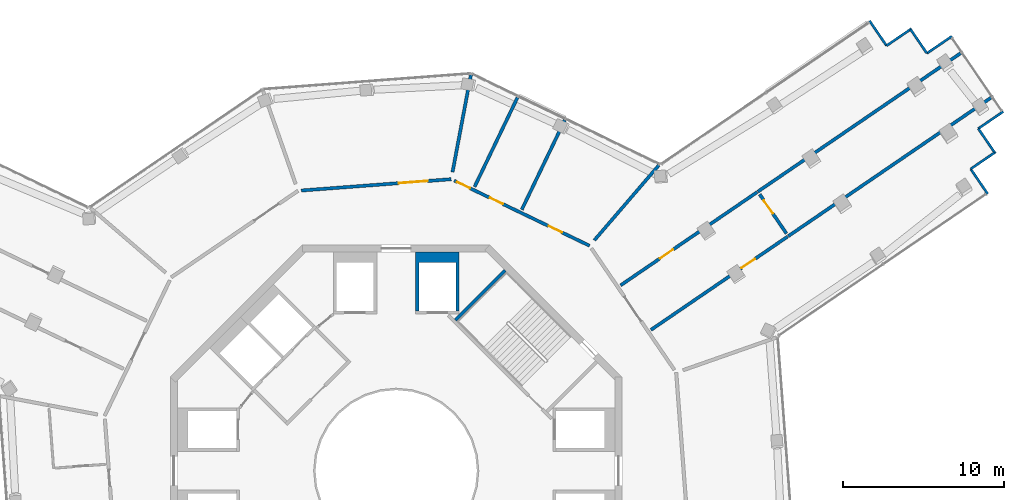
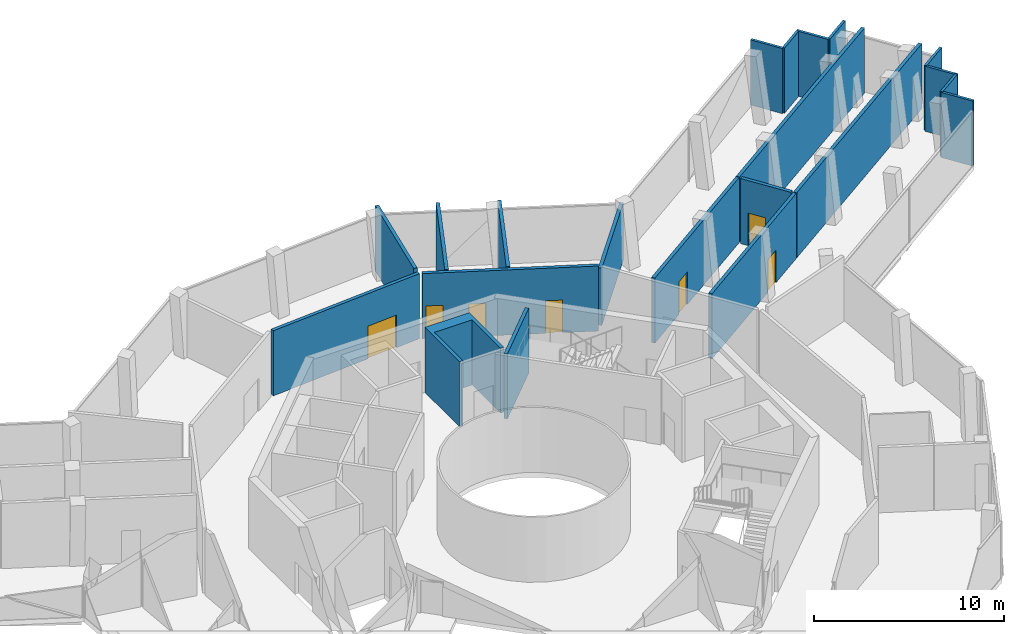
# One storey, part 16 of 19: 21 walls, 7 doors, 7 openings.
"""IFC4 building model written with IfcOpenShell, lengths in metres."""

import ifcopenshell
import ifcopenshell.guid

model = None  # the IFC model being written
_history = None  # IfcOwnerHistory: only IFC2X3 demands one
_inside = {}  # id of a spatial element -> (the spatial element, [elements in it])
_under = {}  # id of a project, library or spatial element -> (it, [spatial elements below it])
_declared = {}  # id of a project -> (the project, [libraries it declares])
_typed = {}  # id of a type object -> (the type object, [elements of that type])
_made_of = {}  # id of a material, layer set ... -> (it, [elements and type objects made of it])


def new_model(schema):
    """Start an empty IFC model of exactly this schema.

    Asked for "IFC4X3", IfcOpenShell would pick the latest addendum, in which some entities
    have other attributes; the version numbers below select the first issue.
    IFC2X3 requires an IfcOwnerHistory on every rooted entity: one is made here for all.
    """
    global model, _history
    if schema == "IFC4X3":
        model = ifcopenshell.file(schema_version=(4, 3, 0, 0))
    else:
        model = ifcopenshell.file(schema=schema)
    _inside.clear()
    _under.clear()
    _declared.clear()
    _typed.clear()
    _made_of.clear()
    _history = None
    if model.schema == "IFC2X3":
        org = make("IfcOrganization", Name="unknown")
        user = make(
            "IfcPersonAndOrganization",
            ThePerson=make("IfcPerson", FamilyName="unknown"),
            TheOrganization=org,
        )
        app = make(
            "IfcApplication",
            ApplicationDeveloper=org,
            Version="unknown",
            ApplicationFullName="unknown",
            ApplicationIdentifier="unknown",
        )
        _history = make(
            "IfcOwnerHistory",
            OwningUser=user,
            OwningApplication=app,
            ChangeAction="ADDED",
            CreationDate=0,
        )
    return model


def make(cls, **values):
    """One entity of the class cls with the attributes given. An attribute that is None is left unset."""
    return model.create_entity(
        cls, **{name: value for name, value in values.items() if value is not None}
    )


def rooted(cls, **values):
    """An entity with a GlobalId (a new one), such as an element, a storey or a relation."""
    return make(cls, GlobalId=ifcopenshell.guid.new(), OwnerHistory=_history, **values)


def si_unit(unit_type, name, prefix=None):
    """IfcSIUnit, for example si_unit("LENGTHUNIT", "METRE", prefix="MILLI")."""
    return make("IfcSIUnit", UnitType=unit_type, Prefix=prefix, Name=name)


def assignment(units):
    """IfcUnitAssignment: the units of a project."""
    return None if units is None else make("IfcUnitAssignment", Units=units)


def point(xyz):
    """IfcCartesianPoint."""
    return None if xyz is None else make("IfcCartesianPoint", Coordinates=xyz)


def direction(xyz):
    """IfcDirection."""
    return None if xyz is None else make("IfcDirection", DirectionRatios=xyz)


def frame(location, z_axis=None, x_axis=None):
    """IfcAxis2Placement3D, a coordinate frame: its origin and axes. An axis left out is left unset."""
    return make(
        "IfcAxis2Placement3D",
        Location=point(location),
        Axis=direction(z_axis),
        RefDirection=direction(x_axis),
    )


def frame_2d(location, x_axis=None):
    """IfcAxis2Placement2D, a coordinate frame in the plane: its origin and x axis."""
    return make(
        "IfcAxis2Placement2D", Location=point(location), RefDirection=direction(x_axis)
    )


def origin():
    """The frame at (0, 0, 0) with its axes left unset."""
    return frame((0.0, 0.0, 0.0))


def place(relative_to, where):
    """IfcLocalPlacement: puts the frame where relative to a parent placement (None: the world)."""
    return make(
        "IfcLocalPlacement", PlacementRelTo=relative_to, RelativePlacement=where
    )


def context(
    kind, dimensions, precision=None, world=None, true_north=None, identifier=None
):
    """IfcGeometricRepresentationContext, for example the 3D "Model" context."""
    return make(
        "IfcGeometricRepresentationContext",
        ContextIdentifier=identifier,
        ContextType=kind,
        CoordinateSpaceDimension=dimensions,
        Precision=precision,
        WorldCoordinateSystem=world,
        TrueNorth=true_north,
    )


def subcontext(parent, identifier, kind, view, scale=None):
    """IfcGeometricRepresentationSubContext, for example "Body" below "Model"."""
    return make(
        "IfcGeometricRepresentationSubContext",
        ContextIdentifier=identifier,
        ContextType=kind,
        ParentContext=parent,
        TargetScale=scale,
        TargetView=view,
    )


def project(units=None, contexts=None):
    """IfcProject with its units and contexts."""
    return rooted(
        "IfcProject",
        Name="project",
        RepresentationContexts=contexts,
        UnitsInContext=assignment(units),
    )


def spatial(cls, under=None, at=None, **own):
    """A site, building, storey or space (cls), placed at a placement, below another one or the project."""
    s = rooted(cls, ObjectPlacement=at, **own)
    if under is not None:
        _under.setdefault(under.id(), (under, []))[1].append(s)
    return s


def polyline(points):
    """IfcPolyline through the points."""
    return make("IfcPolyline", Points=[point(p) for p in points])


def profile(cls, at=None, kind="AREA", **sizes):
    """A parametric profile (cls). Its sizes go by their IFC names, for example OverallWidth=200.0."""
    return make(cls, ProfileType=kind, Position=at, **sizes)


def rectangle(**sizes):
    """IfcRectangleProfileDef."""
    return profile("IfcRectangleProfileDef", **sizes)


def outline(outer, holes=None, kind="AREA"):
    """IfcArbitraryClosedProfileDef: a profile drawn as a closed curve; with holes, ...WithVoids."""
    if holes is None:
        return make("IfcArbitraryClosedProfileDef", ProfileType=kind, OuterCurve=outer)
    return make(
        "IfcArbitraryProfileDefWithVoids",
        ProfileType=kind,
        OuterCurve=outer,
        InnerCurves=holes,
    )


def extrude(swept, where, along, depth):
    """IfcExtrudedAreaSolid: the profile swept, set in the frame where, extruded along a direction by depth."""
    return make(
        "IfcExtrudedAreaSolid",
        SweptArea=swept,
        Position=where,
        ExtrudedDirection=direction(along),
        Depth=depth,
    )


def shape(context_of_items, identifier, shape_type, items):
    """IfcShapeRepresentation: the items that make up one representation, for example the "Body"."""
    return make(
        "IfcShapeRepresentation",
        ContextOfItems=context_of_items,
        RepresentationIdentifier=identifier,
        RepresentationType=shape_type,
        Items=items,
    )


def material(Name=None, Category=None):
    """IfcMaterial."""
    return make("IfcMaterial", Name=Name, Category=Category)


def layer(
    of_material, thickness, ventilated=None, Name=None, Category=None, Priority=None
):
    """IfcMaterialLayer: one layer of a wall or slab, of a material (None: an air gap)."""
    return make(
        "IfcMaterialLayer",
        Material=of_material,
        LayerThickness=thickness,
        IsVentilated=ventilated,
        Name=Name,
        Category=Category,
        Priority=Priority,
    )


def layer_set(layers, Name=None):
    """IfcMaterialLayerSet."""
    return make("IfcMaterialLayerSet", MaterialLayers=layers, LayerSetName=Name)


def made_of(thing, what):
    """Note that an element or type object is made of a material, layer set ...; save() writes the relation."""
    if what is not None:
        _made_of.setdefault(what.id(), (what, []))[1].append(thing)
    return thing


def type_object(cls, material=None, **own):
    """A type object (cls), such as IfcWallType, which elements share."""
    return made_of(rooted(cls, **own), material)


def element(
    cls,
    number,
    at=None,
    inside=None,
    cuts=None,
    type_object=None,
    material=None,
    context=None,
    identifier="Body",
    shape_type=None,
    held_by="IfcProductDefinitionShape",
    body=None,
    shapes=None,
    **own,
):
    """One element of the class cls, such as IfcWall. Its Tag is "e" and its number.

    at: its placement. inside: the storey or other place that contains it. cuts: it is an
    opening in that element (IfcRelVoidsElement). A single representation is given by context,
    identifier, shape_type and body (its items); several are given by shapes. held_by: the class
    of the entity that holds the representations. save() writes the other relations.
    """
    e = rooted(cls, Tag="e%d" % number, ObjectPlacement=at, **own)
    if body is not None:
        shapes = [shape(context, identifier, shape_type, body)]
    if shapes is not None:
        e.Representation = make(held_by, Representations=shapes)
    if inside is not None:
        _inside.setdefault(inside.id(), (inside, []))[1].append(e)
    if cuts is not None:
        rooted(
            "IfcRelVoidsElement", RelatingBuildingElement=cuts, RelatedOpeningElement=e
        )
    if type_object is not None:
        _typed.setdefault(type_object.id(), (type_object, []))[1].append(e)
    return made_of(e, material)


def fill(opening, filler):
    """IfcRelFillsElement: the door or window that sits in an opening."""
    return rooted(
        "IfcRelFillsElement",
        RelatingOpeningElement=opening,
        RelatedBuildingElement=filler,
    )


def aggregate(whole, parts):
    """IfcRelAggregates: a whole, such as a stair, and the parts it consists of."""
    return rooted("IfcRelAggregates", RelatingObject=whole, RelatedObjects=parts)


def save(model, path):
    """Write the relations noted so far, then the file.

    IfcRelAggregates (storeys below a building ...), IfcRelContainedInSpatialStructure (elements
    in a storey), IfcRelDefinesByType, IfcRelAssociatesMaterial and IfcRelDeclares: one each for
    every whole, place, type object, material and project.
    """
    for whole, parts in _under.values():
        aggregate(whole, parts)
    for where, things in _inside.values():
        rooted(
            "IfcRelContainedInSpatialStructure",
            RelatedElements=things,
            RelatingStructure=where,
        )
    for kind, things in _typed.values():
        rooted("IfcRelDefinesByType", RelatedObjects=things, RelatingType=kind)
    for what, things in _made_of.values():
        rooted("IfcRelAssociatesMaterial", RelatedObjects=things, RelatingMaterial=what)
    for by, libraries in _declared.values():
        rooted("IfcRelDeclares", RelatingContext=by, RelatedDefinitions=libraries)
    model.write(path)


model = new_model("IFC4")

# Units and contexts
model_context = context("Model", 3, precision=1e-05, world=origin(), true_north=direction((0.0, 1.0)))
body_context = subcontext(model_context, "Body", "Model", "MODEL_VIEW")
ifc_project = project(units=[si_unit("LENGTHUNIT", "METRE"), si_unit("AREAUNIT", "SQUARE_METRE"), si_unit("VOLUMEUNIT", "CUBIC_METRE"), si_unit("PLANEANGLEUNIT", "RADIAN"), si_unit("MASSUNIT", "GRAM", prefix="KILO")], contexts=[model_context])

# Site, building, storey
site_placement = place(None, origin())
site = spatial("IfcSite", under=ifc_project, at=site_placement, CompositionType="ELEMENT")
building_placement = place(site_placement, origin())
building = spatial("IfcBuilding", under=site, at=building_placement, Name="Verdalira Terraces Hotel", CompositionType="ELEMENT")
storey_placement = place(building_placement, frame((0.0, 0.0, 295.0)))
storey = spatial("IfcBuildingStorey", under=building, at=storey_placement, Name="L73", CompositionType="ELEMENT", Elevation=295.0)

# Walls
ifc_material_1 = material(Name="Concrete C50", Category="concrete")
ifc_layer_1 = layer(ifc_material_1, 0.199951171875)
ifc_layer_set_1 = layer_set([ifc_layer_1], Name="Core RC wall 200 C50")
wall_type_1 = type_object("IfcWallType", Name="Core RC wall 200 C50", PredefinedType="SOLIDWALL", material=ifc_layer_set_1)
wall_1_placement = place(storey_placement, origin())
element("IfcWall", 1, at=wall_1_placement, inside=storey, type_object=wall_type_1, Name="L73 shaft wall N1", PredefinedType="SOLIDWALL", context=body_context, shape_type="SweptSolid", body=[
    extrude(outline(polyline([(3.899902, 9.899902), (3.699951, 9.899902), (3.699951, 12.899902), (1.399902, 12.899902), (1.399902, 9.899902), (1.199951, 9.899902), (1.199951, 13.550049), (3.899902, 13.550049), (3.899902, 9.899902)])), origin(), (0.0, 0.0, 1.0), 4.189941),
])
wall_2_placement = place(storey_placement, frame((3.677002, 9.33374, 0.0), z_axis=(0.0, 0.0, 1.0), x_axis=(0.707106781, 0.707106781, 0.0)))
element("IfcWall", 2, at=wall_2_placement, inside=storey, type_object=wall_type_1, Name="L73 stair ST1 end wall 2", PredefinedType="SOLIDWALL", context=body_context, shape_type="SweptSolid", body=[
    extrude(rectangle(XDim=4.350098, YDim=0.199951, at=frame_2d((2.175049, 0.0))), origin(), (0.0, 0.0, 1.0), 4.189941),
])

# Wall, opening, door
ifc_material_2 = material(Name="Fire-rated gypsum board wall")
ifc_layer_2 = layer(ifc_material_2, 0.199951171875)
ifc_layer_set_2 = layer_set([ifc_layer_2], Name="Demising wall 200 mm")
wall_type_2 = type_object("IfcWallType", Name="Demising wall 200 mm", PredefinedType="SOLIDWALL", material=ifc_layer_set_2)
wall_3_placement = place(storey_placement, frame((13.900879, 11.489014, 0.0), z_axis=(0.0, 0.0, 1.0), x_axis=(0.825907277, 0.563805968, 0.0)))
wall_3 = element("IfcWall", 3, at=wall_3_placement, inside=storey, type_object=wall_type_2, Name="Demising wall", PredefinedType="SOLIDWALL", context=body_context, shape_type="SweptSolid", body=[
    extrude(rectangle(XDim=10.251709, YDim=0.199951, at=frame_2d((5.125977, 0.0))), origin(), (0.0, 0.0, 1.0), 4.189941),
])
opening_1_placement = place(wall_3_placement, frame((2.949951, 0.0, 0.0)))
opening_1 = element("IfcOpeningElement", 4, at=opening_1_placement, cuts=wall_3, Name="Opening L73-120", PredefinedType="OPENING", context=body_context, shape_type="SweptSolid", body=[
    extrude(rectangle(XDim=1.0, YDim=2.100098, at=frame_2d((0.5, 1.050049))), frame((0.0, 0.109863, 0.0), z_axis=(0.0, -1.0, 0.0), x_axis=(1.0, 0.0, 0.0)), (0.0, 0.0, 1.0), 0.219971),
])
ifc_material_3 = material(Name="Timber fire door", Category="wood")
door_type_1 = type_object("IfcDoorType", Name="Public room door 1000 x 2100", OperationType="NOTDEFINED", PredefinedType="DOOR", material=ifc_material_3)
door_1_placement = place(opening_1_placement, origin())
door_1 = element("IfcDoor", 5, at=door_1_placement, inside=storey, type_object=door_type_1, Name="Public room door 7308", OperationType="SINGLE_SWING_LEFT", OverallHeight=2.10009765625, OverallWidth=1.0, PredefinedType="DOOR", context=body_context, shape_type="SweptSolid", body=[
    extrude(rectangle(XDim=1.0, YDim=2.100098, at=frame_2d((0.5, 1.050049))), frame((0.0, 0.024902, 0.0), z_axis=(0.0, -1.0, 0.0), x_axis=(1.0, 0.0, 0.0)), (0.0, 0.0, 1.0), 0.050049),
])
fill(opening_1, door_1)

wall_4_placement = place(storey_placement, frame((24.251465, 14.510254, 0.0), z_axis=(0.0, 0.0, 1.0), x_axis=(-0.825903758, -0.563811123, 0.0)))
wall_4 = element("IfcWall", 6, at=wall_4_placement, inside=storey, type_object=wall_type_2, Name="Demising wall", PredefinedType="SOLIDWALL", context=body_context, shape_type="SweptSolid", body=[
    extrude(rectangle(XDim=10.252197, YDim=0.199951, at=frame_2d((5.125977, 0.0))), origin(), (0.0, 0.0, 1.0), 4.189941),
])
opening_2_placement = place(wall_4_placement, frame((2.449951, 0.0, 0.0)))
opening_2 = element("IfcOpeningElement", 7, at=opening_2_placement, cuts=wall_4, Name="Opening L73-119", PredefinedType="OPENING", context=body_context, shape_type="SweptSolid", body=[
    extrude(rectangle(XDim=1.0, YDim=2.100098, at=frame_2d((0.5, 1.050049))), frame((0.0, 0.109863, 0.0), z_axis=(0.0, -1.0, 0.0), x_axis=(1.0, 0.0, 0.0)), (0.0, 0.0, 1.0), 0.219971),
])
door_2_placement = place(opening_2_placement, origin())
door_2 = element("IfcDoor", 8, at=door_2_placement, inside=storey, type_object=door_type_1, Name="Public room door 7308", OperationType="SINGLE_SWING_LEFT", OverallHeight=2.10009765625, OverallWidth=1.0, PredefinedType="DOOR", context=body_context, shape_type="SweptSolid", body=[
    extrude(rectangle(XDim=1.0, YDim=2.100098, at=frame_2d((0.5, 1.050049))), frame((0.0, 0.024902, 0.0), z_axis=(0.0, -1.0, 0.0), x_axis=(1.0, 0.0, 0.0)), (0.0, 0.0, 1.0), 0.050049),
])
fill(opening_2, door_2)

wall_5_placement = place(storey_placement, frame((22.520508, 17.131104, 0.0), z_axis=(0.0, 0.0, 1.0), x_axis=(0.563748959, -0.825946192, 0.0)))
wall_5 = element("IfcWall", 9, at=wall_5_placement, inside=storey, type_object=wall_type_2, Name="Demising wall", PredefinedType="SOLIDWALL", context=body_context, shape_type="SweptSolid", body=[
    extrude(rectangle(XDim=2.94043, YDim=0.199951, at=frame_2d((1.470215, 0.0))), origin(), (0.0, 0.0, 1.0), 4.189941),
])
opening_3_placement = place(wall_5_placement, frame((0.449951, 0.0, 0.0)))
opening_3 = element("IfcOpeningElement", 10, at=opening_3_placement, cuts=wall_5, Name="Opening L73-121", PredefinedType="OPENING", context=body_context, shape_type="SweptSolid", body=[
    extrude(rectangle(XDim=1.0, YDim=2.100098, at=frame_2d((0.5, 1.050049))), frame((0.0, 0.109863, 0.0), z_axis=(0.0, -1.0, 0.0), x_axis=(1.0, 0.0, 0.0)), (0.0, 0.0, 1.0), 0.219971),
])
door_3_placement = place(opening_3_placement, origin())
door_3 = element("IfcDoor", 11, at=door_3_placement, inside=storey, type_object=door_type_1, Name="Public room door 7308", OperationType="SINGLE_SWING_LEFT", OverallHeight=2.10009765625, OverallWidth=1.0, PredefinedType="DOOR", context=body_context, shape_type="SweptSolid", body=[
    extrude(rectangle(XDim=1.0, YDim=2.100098, at=frame_2d((0.5, 1.050049))), frame((0.0, 0.024902, 0.0), z_axis=(0.0, -1.0, 0.0), x_axis=(1.0, 0.0, 0.0)), (0.0, 0.0, 1.0), 0.050049),
])
fill(opening_3, door_3)

# Walls
wall_6_placement = place(storey_placement, frame((34.96875, 25.871338, 0.0), z_axis=(0.0, 0.0, 1.0), x_axis=(-0.825900878, -0.563815342, 0.0)))
element("IfcWall", 12, at=wall_6_placement, inside=storey, type_object=wall_type_2, Name="Demising wall", PredefinedType="SOLIDWALL", context=body_context, shape_type="SweptSolid", body=[
    extrude(rectangle(XDim=15.210938, YDim=0.199951, at=frame_2d((7.605469, 0.0))), origin(), (0.0, 0.0, 1.0), 4.189941),
])
wall_7_placement = place(storey_placement, frame((24.289307, 14.536133, 0.0), z_axis=(0.0, 0.0, 1.0), x_axis=(0.82590598, 0.563807868, 0.0)))
element("IfcWall", 13, at=wall_7_placement, inside=storey, type_object=wall_type_2, Name="Demising wall", PredefinedType="SOLIDWALL", context=body_context, shape_type="SweptSolid", body=[
    extrude(rectangle(XDim=15.211182, YDim=0.199951, at=frame_2d((7.605469, 0.0))), origin(), (0.0, 0.0, 1.0), 4.189941),
])

# Wall, opening, door
ifc_material_4 = material(Name="Fire-rated gypsum board wall")
ifc_layer_3 = layer(ifc_material_4, 0.199951171875)
ifc_layer_set_3 = layer_set([ifc_layer_3], Name="Guest corridor wall 200 mm")
wall_type_3 = type_object("IfcWallType", Name="Guest corridor wall 200 mm", PredefinedType="SOLIDWALL", material=ifc_layer_set_3)
wall_8_placement = place(storey_placement, frame((-5.883057, 17.364502, 0.0), z_axis=(0.0, 0.0, 1.0), x_axis=(0.997157921, 0.075339772, 0.0)))
wall_8 = element("IfcWall", 14, at=wall_8_placement, inside=storey, type_object=wall_type_3, Name="Guest corridor wall", PredefinedType="SOLIDWALL", context=body_context, shape_type="SweptSolid", body=[
    extrude(rectangle(XDim=9.316406, YDim=0.199951, at=frame_2d((4.658203, 0.0))), origin(), (0.0, 0.0, 1.0), 4.189941),
])
opening_4_placement = place(wall_8_placement, frame((6.050049, 0.0, 0.0)))
opening_4 = element("IfcOpeningElement", 15, at=opening_4_placement, cuts=wall_8, Name="Opening L73-123", PredefinedType="OPENING", context=body_context, shape_type="SweptSolid", body=[
    extrude(rectangle(XDim=1.800049, YDim=2.100098, at=frame_2d((0.899902, 1.050049))), frame((0.0, 0.109863, 0.0), z_axis=(0.0, -1.0, 0.0), x_axis=(1.0, 0.0, 0.0)), (0.0, 0.0, 1.0), 0.219971),
])
ifc_material_5 = material(Name="Timber fire door", Category="wood")
door_type_2 = type_object("IfcDoorType", Name="Public room double door 1800 x 2100", OperationType="NOTDEFINED", PredefinedType="DOOR", material=ifc_material_5)
door_4_placement = place(opening_4_placement, origin())
door_4 = element("IfcDoor", 16, at=door_4_placement, inside=storey, type_object=door_type_2, Name="Public room double door 7310", OperationType="DOUBLE_DOOR_SINGLE_SWING", OverallHeight=2.10009765625, OverallWidth=1.800048828125, PredefinedType="DOOR", context=body_context, shape_type="SweptSolid", body=[
    extrude(rectangle(XDim=1.800049, YDim=2.100098, at=frame_2d((0.899902, 1.050049))), frame((0.0, 0.024902, 0.0), z_axis=(0.0, -1.0, 0.0), x_axis=(1.0, 0.0, 0.0)), (0.0, 0.0, 1.0), 0.050049),
])
fill(opening_4, door_4)

# Wall, openings, doors
wall_9_placement = place(storey_placement, frame((3.587402, 17.979492, 0.0), z_axis=(0.0, 0.0, 1.0), x_axis=(0.901238255, -0.433323906, 0.0)))
wall_9 = element("IfcWall", 17, at=wall_9_placement, inside=storey, type_object=wall_type_3, Name="Guest corridor wall", PredefinedType="SOLIDWALL", context=body_context, shape_type="SweptSolid", body=[
    extrude(rectangle(XDim=9.31665, YDim=0.199951, at=frame_2d((4.658203, 0.0))), origin(), (0.0, 0.0, 1.0), 4.189941),
])
opening_5_placement = place(wall_9_placement, frame((6.508301, 0.0, 0.0)))
opening_5 = element("IfcOpeningElement", 18, at=opening_5_placement, cuts=wall_9, Name="Opening L73-122", PredefinedType="OPENING", context=body_context, shape_type="SweptSolid", body=[
    extrude(rectangle(XDim=0.899902, YDim=2.100098, at=frame_2d((0.449951, 1.050049))), frame((0.0, 0.109863, 0.0), z_axis=(0.0, -1.0, 0.0), x_axis=(1.0, 0.0, 0.0)), (0.0, 0.0, 1.0), 0.219971),
])
opening_6_placement = place(wall_9_placement, frame((2.458252, 0.0, 0.0)))
opening_6 = element("IfcOpeningElement", 19, at=opening_6_placement, cuts=wall_9, Name="Opening L73-127", PredefinedType="OPENING", context=body_context, shape_type="SweptSolid", body=[
    extrude(rectangle(XDim=0.899902, YDim=2.100098, at=frame_2d((0.449951, 1.050049))), frame((0.0, 0.109863, 0.0), z_axis=(0.0, -1.0, 0.0), x_axis=(1.0, 0.0, 0.0)), (0.0, 0.0, 1.0), 0.219971),
])
opening_7_placement = place(wall_9_placement, frame((0.199951, 0.0, 0.0)))
opening_7 = element("IfcOpeningElement", 20, at=opening_7_placement, cuts=wall_9, Name="Opening L73-128", PredefinedType="OPENING", context=body_context, shape_type="SweptSolid", body=[
    extrude(rectangle(XDim=0.899902, YDim=2.100098, at=frame_2d((0.449951, 1.050049))), frame((0.0, 0.109863, 0.0), z_axis=(0.0, -1.0, 0.0), x_axis=(1.0, 0.0, 0.0)), (0.0, 0.0, 1.0), 0.219971),
])
ifc_material_6 = material(Name="Steel fire door", Category="steel")
door_type_3 = type_object("IfcDoorType", Name="Service room door 900 x 2100", OperationType="NOTDEFINED", PredefinedType="DOOR", material=ifc_material_6)
door_5_placement = place(opening_5_placement, origin())
door_5 = element("IfcDoor", 21, at=door_5_placement, inside=storey, type_object=door_type_3, Name="Service room door 7309", OperationType="SINGLE_SWING_LEFT", OverallHeight=2.10009765625, OverallWidth=0.89990234375, PredefinedType="DOOR", context=body_context, shape_type="SweptSolid", body=[
    extrude(rectangle(XDim=0.899902, YDim=2.100098, at=frame_2d((0.449951, 1.050049))), frame((0.0, 0.024902, 0.0), z_axis=(0.0, -1.0, 0.0), x_axis=(1.0, 0.0, 0.0)), (0.0, 0.0, 1.0), 0.050049),
])
fill(opening_5, door_5)
ifc_material_7 = material(Name="Timber fire door", Category="wood")
door_type_4 = type_object("IfcDoorType", Name="Toilet door 900 x 2100", OperationType="NOTDEFINED", PredefinedType="DOOR", material=ifc_material_7)
door_6_placement = place(opening_6_placement, origin())
door_6 = element("IfcDoor", 22, at=door_6_placement, inside=storey, type_object=door_type_4, Name="Toilet door 7314", OperationType="SINGLE_SWING_LEFT", OverallHeight=2.10009765625, OverallWidth=0.89990234375, PredefinedType="DOOR", context=body_context, shape_type="SweptSolid", body=[
    extrude(rectangle(XDim=0.899902, YDim=2.100098, at=frame_2d((0.449951, 1.050049))), frame((0.0, 0.024902, 0.0), z_axis=(0.0, -1.0, 0.0), x_axis=(1.0, 0.0, 0.0)), (0.0, 0.0, 1.0), 0.050049),
])
fill(opening_6, door_6)
door_7_placement = place(opening_7_placement, origin())
door_7 = element("IfcDoor", 23, at=door_7_placement, inside=storey, type_object=door_type_4, Name="Toilet door 7315", OperationType="SINGLE_SWING_LEFT", OverallHeight=2.10009765625, OverallWidth=0.89990234375, PredefinedType="DOOR", context=body_context, shape_type="SweptSolid", body=[
    extrude(rectangle(XDim=0.899902, YDim=2.100098, at=frame_2d((0.449951, 1.050049))), frame((0.0, 0.024902, 0.0), z_axis=(0.0, -1.0, 0.0), x_axis=(1.0, 0.0, 0.0)), (0.0, 0.0, 1.0), 0.050049),
])
fill(opening_7, door_7)

# Walls
ifc_material_8 = material(Name="Fire-rated gypsum board wall")
ifc_layer_4 = layer(ifc_material_8, 0.199951171875)
ifc_layer_set_4 = layer_set([ifc_layer_4], Name="Service room wall 200 mm")
wall_type_4 = type_object("IfcWallType", Name="Service room wall 200 mm", PredefinedType="SOLIDWALL", material=ifc_layer_set_4)
wall_10_placement = place(storey_placement, frame((4.626465, 24.531494, 0.0), z_axis=(0.0, 0.0, 1.0), x_axis=(-0.185338945, -0.982674654, 0.0)))
element("IfcWall", 24, at=wall_10_placement, inside=storey, type_object=wall_type_4, Name="Service room wall", PredefinedType="SOLIDWALL", context=body_context, shape_type="SweptSolid", body=[
    extrude(rectangle(XDim=6.131836, YDim=0.199951, at=frame_2d((3.065918, 0.0))), origin(), (0.0, 0.0, 1.0), 4.189941),
])
wall_11_placement = place(storey_placement, frame((4.853271, 17.593018, 0.0), z_axis=(0.0, 0.0, 1.0), x_axis=(0.433345282, 0.901227977, 0.0)))
element("IfcWall", 25, at=wall_11_placement, inside=storey, type_object=wall_type_4, Name="Service room wall", PredefinedType="SOLIDWALL", context=body_context, shape_type="SweptSolid", body=[
    extrude(rectangle(XDim=6.149902, YDim=0.199951, at=frame_2d((3.074951, 0.0))), origin(), (0.0, 0.0, 1.0), 4.189941),
])
wall_12_placement = place(storey_placement, frame((7.782227, 16.184814, 0.0), z_axis=(0.0, 0.0, 1.0), x_axis=(0.433360787, 0.901220522, 0.0)))
element("IfcWall", 26, at=wall_12_placement, inside=storey, type_object=wall_type_4, Name="Service room wall", PredefinedType="SOLIDWALL", context=body_context, shape_type="SweptSolid", body=[
    extrude(rectangle(XDim=6.149658, YDim=0.199951, at=frame_2d((3.074707, 0.0))), origin(), (0.0, 0.0, 1.0), 4.189941),
])
ifc_material_9 = material(Name="Fire-rated gypsum board wall")
ifc_layer_5 = layer(ifc_material_9, 0.199951171875)
ifc_layer_set_5 = layer_set([ifc_layer_5], Name="Service room wall 200 mm to beam soffit")
wall_type_5 = type_object("IfcWallType", Name="Service room wall 200 mm to beam soffit", PredefinedType="SOLIDWALL", material=ifc_layer_set_5)
wall_13_placement = place(storey_placement, frame((12.275391, 14.281494, 0.0), z_axis=(0.0, 0.0, 1.0), x_axis=(0.651826856, 0.75836782, 0.0)))
element("IfcWall", 27, at=wall_13_placement, inside=storey, type_object=wall_type_5, Name="Service room wall", PredefinedType="SOLIDWALL", context=body_context, shape_type="SweptSolid", body=[
    extrude(rectangle(XDim=6.13208, YDim=0.199951, at=frame_2d((3.065918, 0.0))), origin(), (0.0, 0.0, 1.0), 3.689941),
])
ifc_material_10 = material(Name="Terracotta cladding", Category="masonry")
ifc_layer_6 = layer(ifc_material_10, 0.14990234375)
ifc_layer_set_6 = layer_set([ifc_layer_6], Name="Terracotta clad wall 150")
wall_type_6 = type_object("IfcWallType", Name="Terracotta clad wall 150", PredefinedType="SOLIDWALL", material=ifc_layer_set_6)
wall_14_placement = place(storey_placement, frame((36.65332, 17.151855, 0.0), z_axis=(0.0, 0.0, 1.0), x_axis=(-0.563862008, 0.825869019, 0.0)))
element("IfcWall", 28, at=wall_14_placement, inside=storey, type_object=wall_type_6, Name="Terracotta cladding wall", PredefinedType="SOLIDWALL", context=body_context, shape_type="SweptSolid", body=[
    extrude(rectangle(XDim=1.874756, YDim=0.149902, at=frame_2d((0.9375, 0.0))), origin(), (0.0, 0.0, 1.0), 4.189941),
])
wall_15_placement = place(storey_placement, frame((35.596191, 18.700195, 0.0), z_axis=(0.0, 0.0, 1.0), x_axis=(0.82588571, 0.563837559, 0.0)))
element("IfcWall", 29, at=wall_15_placement, inside=storey, type_object=wall_type_6, Name="Terracotta cladding wall", PredefinedType="SOLIDWALL", context=body_context, shape_type="SweptSolid", body=[
    extrude(rectangle(XDim=1.800049, YDim=0.149902, at=frame_2d((0.899902, 0.0))), origin(), (0.0, 0.0, 1.0), 4.189941),
])
for number, where, z_axis, x_axis, name in (
    (30, (37.125, 19.65332, 0.0), (0.0, 0.0, 1.0), (-0.563801371, 0.825910415, 0.0), "Terracotta cladding wall"),
    (31, (36.067871, 21.201904, 0.0), (0.0, 0.0, 1.0), (0.825910415, 0.563801371, 0.0), "Terracotta cladding wall"),
    (32, (34.430908, 26.925293, 0.0), (0.0, 0.0, 1.0), (-0.825910415, -0.563801371, 0.0), "Terracotta cladding wall"),
):
    element("IfcWall", number, at=place(storey_placement, frame(where, z_axis=z_axis, x_axis=x_axis)), inside=storey, type_object=wall_type_6, Name=name, PredefinedType="SOLIDWALL", context=body_context, shape_type="SweptSolid", body=[
        extrude(rectangle(XDim=1.875, YDim=0.149902, at=frame_2d((0.9375, 0.0))), origin(), (0.0, 0.0, 1.0), 4.189941),
    ])
wall_16_placement = place(storey_placement, frame((32.882324, 25.868164, 0.0), z_axis=(0.0, 0.0, 1.0), x_axis=(-0.563837559, 0.82588571, 0.0)))
element("IfcWall", 33, at=wall_16_placement, inside=storey, type_object=wall_type_6, Name="Terracotta cladding wall", PredefinedType="SOLIDWALL", context=body_context, shape_type="SweptSolid", body=[
    extrude(rectangle(XDim=1.800049, YDim=0.149902, at=frame_2d((0.899902, 0.0))), origin(), (0.0, 0.0, 1.0), 4.189941),
])
for number, where, z_axis, x_axis, name in (
    (34, (31.929443, 27.396973, 0.0), (0.0, 0.0, 1.0), (-0.825910415, -0.563801371, 0.0), "Terracotta cladding wall"),
    (35, (30.380859, 26.339844, 0.0), (0.0, 0.0, 1.0), (-0.563801371, 0.825910415, 0.0), "Terracotta cladding wall"),
):
    element("IfcWall", number, at=place(storey_placement, frame(where, z_axis=z_axis, x_axis=x_axis)), inside=storey, type_object=wall_type_6, Name=name, PredefinedType="SOLIDWALL", context=body_context, shape_type="SweptSolid", body=[
        extrude(rectangle(XDim=1.875, YDim=0.149902, at=frame_2d((0.9375, 0.0))), origin(), (0.0, 0.0, 1.0), 4.189941),
    ])

save(model, "model.ifc")
